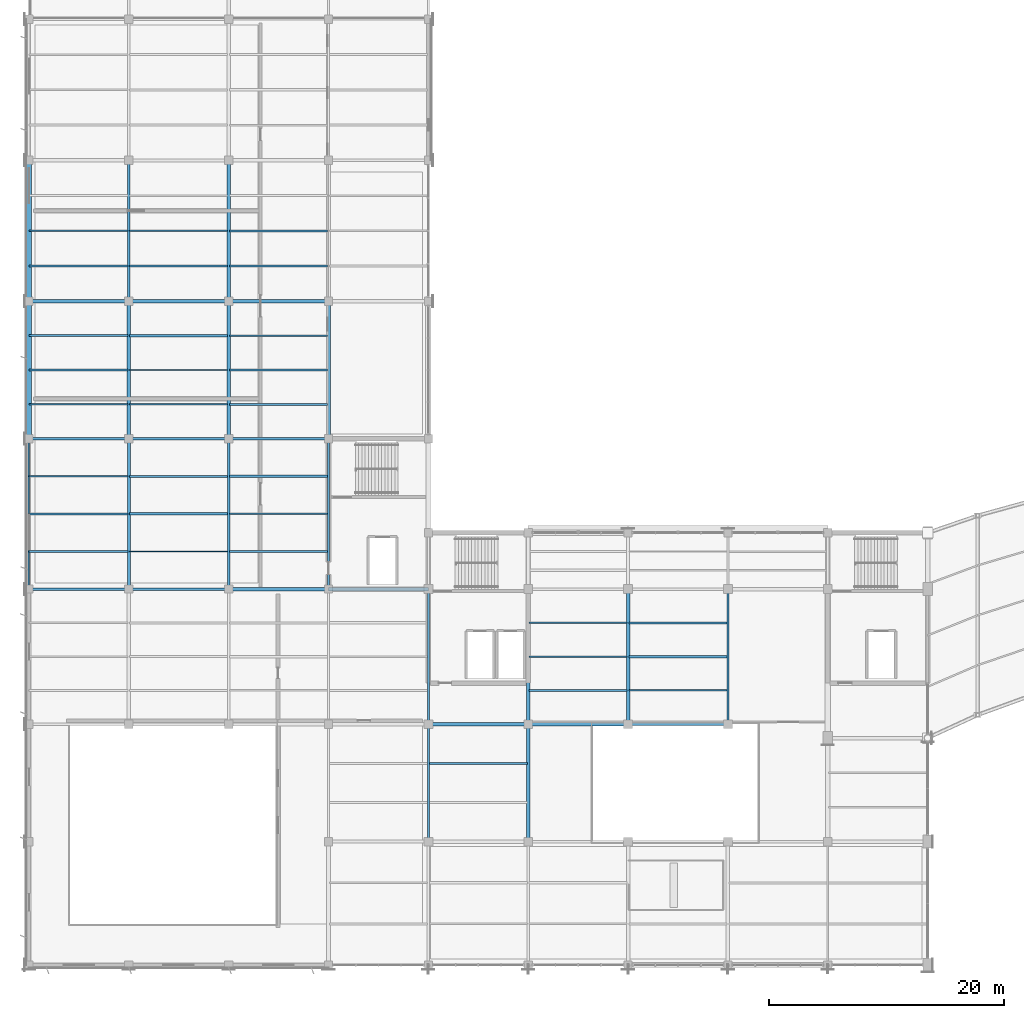
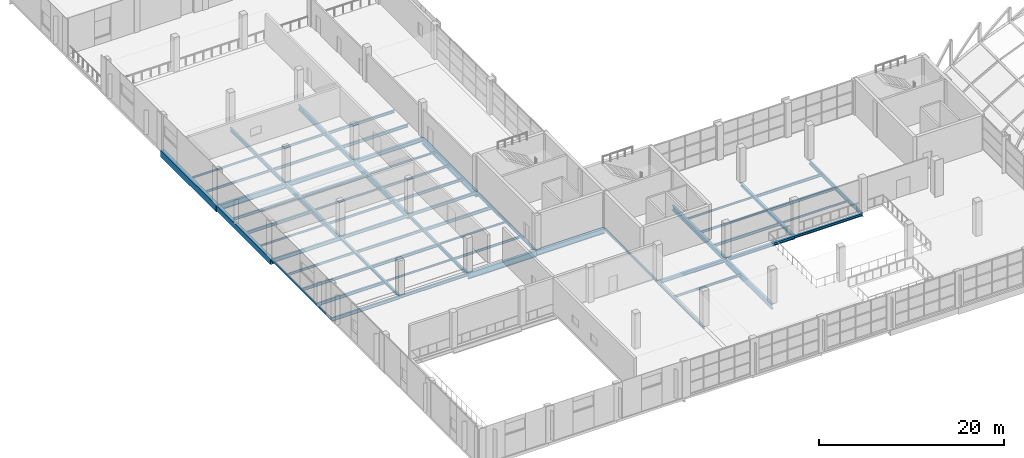
# One storey, part 15 of 101: 61 beams.
"""IFC4 building model written with IfcOpenShell, lengths in metres."""

from ifc_helpers import new_model, si_unit, direction, frame, origin, origin_2d, place, context, subcontext, project, spatial, rectangle, hollow_rectangle, i_section, extrude, material, material_profile, profile_set, type_object, element, save


model = new_model("IFC4")

# Units and contexts
model_context = context("Model", 3, precision=1e-05, world=origin(), true_north=direction((0.0, 1.0)))
body_context = subcontext(model_context, "Body", "Model", "MODEL_VIEW")
ifc_project = project(units=[si_unit("LENGTHUNIT", "METRE"), si_unit("AREAUNIT", "SQUARE_METRE"), si_unit("VOLUMEUNIT", "CUBIC_METRE"), si_unit("PLANEANGLEUNIT", "RADIAN"), si_unit("MASSUNIT", "GRAM", prefix="KILO")], contexts=[model_context])

# Site, building, storey
site_placement = place(None, origin())
site = spatial("IfcSite", under=ifc_project, at=site_placement, CompositionType="ELEMENT")
building_placement = place(site_placement, origin())
building = spatial("IfcBuilding", under=site, at=building_placement, Name="Solvikara Media Centre", CompositionType="ELEMENT")
storey_placement = place(building_placement, frame((0.0, 0.0, 10.199951171875)))
storey = spatial("IfcBuildingStorey", under=building, at=storey_placement, Name="L02", CompositionType="ELEMENT", Elevation=10.199951171875)

# Beams
ifc_material_1 = material(Name="Concrete fc' 35 MPa (C35/45)", Category="concrete")
ifc_material_profile_1 = material_profile(ifc_material_1, rectangle(XDim=0.39990234375, YDim=0.699951171875, at=origin_2d()), Name="RC 400x700")
ifc_profile_set_1 = profile_set([ifc_material_profile_1], Name="Concrete fc' 35 MPa (C35/45)")
beam_type_1 = type_object("IfcBeamType", Name="BM-13", PredefinedType="SPANDREL", material=ifc_profile_set_1)
beam_1_placement = place(storey_placement, frame((0.0, 44.800048828125, -0.60986328125), z_axis=(0.0, 1.0, 0.0), x_axis=(-1.0, 0.0, 0.0)))
element("IfcBeam", 1, at=beam_1_placement, inside=storey, type_object=beam_type_1, Name="B-L02-Y0913", PredefinedType="SPANDREL", context=body_context, shape_type="SweptSolid", body=[
    extrude(rectangle(XDim=0.39990234375, YDim=0.699951171875, at=origin_2d()), origin(), (0.0, 0.0, 1.0), 11.699951171875),
])
ifc_material_profile_2 = material_profile(ifc_material_1, rectangle(XDim=0.449951171875, YDim=0.85009765625, at=origin_2d()), Name="RC 450x850")
ifc_profile_set_2 = profile_set([ifc_material_profile_2], Name="Concrete fc' 35 MPa (C35/45)")
beam_type_2 = type_object("IfcBeamType", Name="BM-14", PredefinedType="SPANDREL", material=ifc_profile_set_2)
beam_2_placement = place(storey_placement, frame((0.0, 56.5, -0.68505859375), z_axis=(0.0, 1.0, 0.0), x_axis=(-1.0, 0.0, 0.0)))
element("IfcBeam", 2, at=beam_2_placement, inside=storey, type_object=beam_type_2, Name="B-L02-Y0914", PredefinedType="SPANDREL", context=body_context, shape_type="SweptSolid", body=[
    extrude(rectangle(XDim=0.449951171875, YDim=0.85009765625, at=origin_2d()), origin(), (0.0, 0.0, 1.0), 12.0),
])
ifc_material_2 = material(Name="Steel S355JR", Category="steel")
ifc_material_profile_3 = material_profile(ifc_material_2, i_section(OverallWidth=0.300048828125, OverallDepth=0.800048828125, WebThickness=0.013916015625, FlangeThickness=0.02587890625, at=origin_2d()), Name="WF 800x300x14x26")
ifc_profile_set_3 = profile_set([ifc_material_profile_3], Name="Steel S355JR")
beam_type_3 = type_object("IfcBeamType", Name="BM-16", PredefinedType="BEAM", material=ifc_profile_set_3)
beam_3_placement = place(storey_placement, frame((17.0, 32.0, -0.661865234375), z_axis=(1.0, 0.0, 0.0), x_axis=(0.0, 1.0, 0.0)))
element("IfcBeam", 3, at=beam_3_placement, inside=storey, type_object=beam_type_3, Name="B-L02-X0855", PredefinedType="BEAM", context=body_context, shape_type="SweptSolid", body=[
    extrude(i_section(OverallWidth=0.300048828125, OverallDepth=0.800048828125, WebThickness=0.013916015625, FlangeThickness=0.02587890625, at=origin_2d()), origin(), (0.0, 0.0, 1.0), 8.5),
])
beam_4_placement = place(storey_placement, frame((25.5, 44.800048828125, -0.661865234375), z_axis=(0.0, 1.0, 0.0), x_axis=(-1.0, 0.0, 0.0)))
element("IfcBeam", 4, at=beam_4_placement, inside=storey, type_object=beam_type_3, Name="B-L02-Y0939", PredefinedType="BEAM", context=body_context, shape_type="SweptSolid", body=[
    extrude(i_section(OverallWidth=0.300048828125, OverallDepth=0.800048828125, WebThickness=0.013916015625, FlangeThickness=0.02587890625, at=origin_2d()), origin(), (0.0, 0.0, 1.0), 11.699951171875),
])
ifc_material_profile_4 = material_profile(ifc_material_2, i_section(OverallWidth=0.300048828125, OverallDepth=0.699951171875, WebThickness=0.012939453125, FlangeThickness=0.02392578125, at=origin_2d()), Name="WF 700x300x13x24")
ifc_profile_set_4 = profile_set([ifc_material_profile_4], Name="Steel S355JR")
beam_type_4 = type_object("IfcBeamType", Name="BM-17", PredefinedType="BEAM", material=ifc_profile_set_4)
beam_5_placement = place(storey_placement, frame((25.5, 32.0, -0.612060546875), z_axis=(1.0, 0.0, 0.0), x_axis=(0.0, 1.0, 0.0)))
element("IfcBeam", 5, at=beam_5_placement, inside=storey, type_object=beam_type_4, Name="B-L02-X0856", PredefinedType="BEAM", context=body_context, shape_type="SweptSolid", body=[
    extrude(i_section(OverallWidth=0.300048828125, OverallDepth=0.699951171875, WebThickness=0.012939453125, FlangeThickness=0.02392578125, at=origin_2d()), origin(), (0.0, 0.0, 1.0), 8.5),
])
ifc_material_profile_5 = material_profile(ifc_material_2, i_section(OverallWidth=0.199951171875, OverallDepth=0.449951171875, WebThickness=0.009033203125, FlangeThickness=0.013916015625, at=origin_2d()), Name="WF 450x200x9x14")
ifc_profile_set_5 = profile_set([ifc_material_profile_5], Name="Steel S355JR")
beam_type_5 = type_object("IfcBeamType", Name="BM-20", PredefinedType="BEAM", material=ifc_profile_set_5)
beam_6_placement = place(storey_placement, frame((17.0, 32.0, -0.487060546875), z_axis=(0.0, 1.0, 0.0), x_axis=(-1.0, 0.0, 0.0)))
element("IfcBeam", 6, at=beam_6_placement, inside=storey, type_object=beam_type_5, Name="B-L02-Y0928", PredefinedType="BEAM", context=body_context, shape_type="SweptSolid", body=[
    extrude(i_section(OverallWidth=0.199951171875, OverallDepth=0.449951171875, WebThickness=0.009033203125, FlangeThickness=0.013916015625, at=origin_2d()), origin(), (0.0, 0.0, 1.0), 12.800048828125),
])
ifc_material_profile_6 = material_profile(ifc_material_2, i_section(OverallWidth=0.199951171875, OverallDepth=0.39990234375, WebThickness=0.008056640625, FlangeThickness=0.012939453125, at=origin_2d()), Name="WF 400x200x8x13")
ifc_profile_set_6 = profile_set([ifc_material_profile_6], Name="Steel S355JR")
beam_type_6 = type_object("IfcBeamType", Name="BM-21", PredefinedType="JOIST", material=ifc_profile_set_6)
beam_7_placement = place(storey_placement, frame((0.0, 35.199951171875, -0.4619140625), z_axis=(1.0, 0.0, 0.0), x_axis=(0.0, 1.0, 0.0)))
element("IfcBeam", 7, at=beam_7_placement, inside=storey, type_object=beam_type_6, Name="J-L02-1009", PredefinedType="JOIST", context=body_context, shape_type="SweptSolid", body=[
    extrude(i_section(OverallWidth=0.199951171875, OverallDepth=0.39990234375, WebThickness=0.008056640625, FlangeThickness=0.012939453125, at=origin_2d()), origin(), (0.0, 0.0, 1.0), 8.422119140625),
])
for number, where, z_axis, x_axis, name in (
    (8, (8.577880859375, 38.39990234375, -0.4619140625), (1.0, 0.0, 0.0), (0.0, 1.0, 0.0), "J-L02-1033"),
    (9, (17.077880859375, 41.60009765625, -0.4619140625), (1.0, 0.0, 0.0), (0.0, 1.0, 0.0), "J-L02-1057"),
):
    element("IfcBeam", number, at=place(storey_placement, frame(where, z_axis=z_axis, x_axis=x_axis)), inside=storey, type_object=beam_type_6, Name=name, PredefinedType="JOIST", context=body_context, shape_type="SweptSolid", body=[
        extrude(i_section(OverallWidth=0.199951171875, OverallDepth=0.39990234375, WebThickness=0.008056640625, FlangeThickness=0.012939453125, at=origin_2d()), origin(), (0.0, 0.0, 1.0), 8.34423828125),
    ])
ifc_material_profile_7 = material_profile(ifc_material_2, i_section(OverallWidth=0.175048828125, OverallDepth=0.35009765625, WebThickness=0.007080078125, FlangeThickness=0.010986328125, at=origin_2d()), Name="WF 350x175x7x11")
ifc_profile_set_7 = profile_set([ifc_material_profile_7], Name="Steel S355JR")
beam_type_7 = type_object("IfcBeamType", Name="BM-22", PredefinedType="JOIST", material=ifc_profile_set_7)
beam_8_placement = place(storey_placement, frame((0.0, 38.39990234375, -0.43701171875), z_axis=(1.0, 0.0, 0.0), x_axis=(0.0, 1.0, 0.0)))
element("IfcBeam", 10, at=beam_8_placement, inside=storey, type_object=beam_type_7, Name="J-L02-1010", PredefinedType="JOIST", context=body_context, shape_type="SweptSolid", body=[
    extrude(i_section(OverallWidth=0.175048828125, OverallDepth=0.35009765625, WebThickness=0.007080078125, FlangeThickness=0.010986328125, at=origin_2d()), origin(), (0.0, 0.0, 1.0), 8.422119140625),
])
for number, where, z_axis, x_axis, name in (
    (11, (8.577880859375, 41.60009765625, -0.43701171875), (1.0, 0.0, 0.0), (0.0, 1.0, 0.0), "J-L02-1034"),
    (12, (17.077880859375, 47.72509765625, -0.43701171875), (1.0, 0.0, 0.0), (0.0, 1.0, 0.0), "J-L02-1058"),
):
    element("IfcBeam", number, at=place(storey_placement, frame(where, z_axis=z_axis, x_axis=x_axis)), inside=storey, type_object=beam_type_7, Name=name, PredefinedType="JOIST", context=body_context, shape_type="SweptSolid", body=[
        extrude(i_section(OverallWidth=0.175048828125, OverallDepth=0.35009765625, WebThickness=0.007080078125, FlangeThickness=0.010986328125, at=origin_2d()), origin(), (0.0, 0.0, 1.0), 8.34423828125),
    ])
ifc_material_profile_8 = material_profile(ifc_material_2, i_section(OverallWidth=0.14990234375, OverallDepth=0.300048828125, WebThickness=0.006591796875, FlangeThickness=0.009033203125, at=origin_2d()), Name="WF 300x150x6.5x9")
ifc_profile_set_8 = profile_set([ifc_material_profile_8], Name="Steel S355JR")
beam_type_8 = type_object("IfcBeamType", Name="BM-23", PredefinedType="JOIST", material=ifc_profile_set_8)
beam_9_placement = place(storey_placement, frame((0.0, 41.60009765625, -0.411865234375), z_axis=(1.0, 0.0, 0.0), x_axis=(0.0, 1.0, 0.0)))
element("IfcBeam", 13, at=beam_9_placement, inside=storey, type_object=beam_type_8, Name="J-L02-1011", PredefinedType="JOIST", context=body_context, shape_type="SweptSolid", body=[
    extrude(i_section(OverallWidth=0.14990234375, OverallDepth=0.300048828125, WebThickness=0.006591796875, FlangeThickness=0.009033203125, at=origin_2d()), origin(), (0.0, 0.0, 1.0), 8.422119140625),
])
for number, where, z_axis, x_axis, name in (
    (14, (8.577880859375, 47.72509765625, -0.411865234375), (1.0, 0.0, 0.0), (0.0, 1.0, 0.0), "J-L02-1035"),
    (15, (17.077880859375, 50.64990234375, -0.411865234375), (1.0, 0.0, 0.0), (0.0, 1.0, 0.0), "J-L02-1059"),
    (16, (34.077880859375, 17.1669921875, -0.431884765625), (1.0, 0.0, 0.0), (0.0, 1.0, 0.0), "J-L02-1099"),
):
    element("IfcBeam", number, at=place(storey_placement, frame(where, z_axis=z_axis, x_axis=x_axis)), inside=storey, type_object=beam_type_8, Name=name, PredefinedType="JOIST", context=body_context, shape_type="SweptSolid", body=[
        extrude(i_section(OverallWidth=0.14990234375, OverallDepth=0.300048828125, WebThickness=0.006591796875, FlangeThickness=0.009033203125, at=origin_2d()), origin(), (0.0, 0.0, 1.0), 8.34423828125),
    ])
ifc_material_profile_9 = material_profile(ifc_material_2, i_section(OverallWidth=0.125, OverallDepth=0.25, WebThickness=0.006103515625, FlangeThickness=0.009033203125, at=origin_2d()), Name="WF 250x125x6x9")
ifc_profile_set_9 = profile_set([ifc_material_profile_9], Name="Steel S355JR")
beam_type_9 = type_object("IfcBeamType", Name="BM-24", PredefinedType="JOIST", material=ifc_profile_set_9)
beam_10_placement = place(storey_placement, frame((0.0, 47.72509765625, -0.386962890625), z_axis=(1.0, 0.0, 0.0), x_axis=(0.0, 1.0, 0.0)))
element("IfcBeam", 17, at=beam_10_placement, inside=storey, type_object=beam_type_9, Name="J-L02-1012", PredefinedType="JOIST", context=body_context, shape_type="SweptSolid", body=[
    extrude(i_section(OverallWidth=0.125, OverallDepth=0.25, WebThickness=0.006103515625, FlangeThickness=0.009033203125, at=origin_2d()), origin(), (0.0, 0.0, 1.0), 8.422119140625),
])
for number, where, z_axis, x_axis, name in (
    (18, (8.577880859375, 50.64990234375, -0.386962890625), (1.0, 0.0, 0.0), (0.0, 1.0, 0.0), "J-L02-1036"),
    (19, (17.077880859375, 53.574951171875, -0.386962890625), (1.0, 0.0, 0.0), (0.0, 1.0, 0.0), "J-L02-1060"),
    (20, (51.077880859375, 23.375, -0.406982421875), (1.0, 0.0, 0.0), (0.0, 1.0, 0.0), "J-L02-1108"),
):
    element("IfcBeam", number, at=place(storey_placement, frame(where, z_axis=z_axis, x_axis=x_axis)), inside=storey, type_object=beam_type_9, Name=name, PredefinedType="JOIST", context=body_context, shape_type="SweptSolid", body=[
        extrude(i_section(OverallWidth=0.125, OverallDepth=0.25, WebThickness=0.006103515625, FlangeThickness=0.009033203125, at=origin_2d()), origin(), (0.0, 0.0, 1.0), 8.34423828125),
    ])
ifc_material_profile_10 = material_profile(ifc_material_2, i_section(OverallWidth=0.300048828125, OverallDepth=0.69189453125, WebThickness=0.012939453125, FlangeThickness=0.02001953125, at=origin_2d()), Name="H 692x300x13x20")
ifc_profile_set_10 = profile_set([ifc_material_profile_10], Name="Steel S355JR")
beam_type_10 = type_object("IfcBeamType", Name="BM-25", PredefinedType="BEAM", material=ifc_profile_set_10)
beam_11_placement = place(storey_placement, frame((0.0, 56.5, -0.60791015625), z_axis=(1.0, 0.0, 0.0), x_axis=(0.0, 1.0, 0.0)))
element("IfcBeam", 21, at=beam_11_placement, inside=storey, type_object=beam_type_10, Name="B-L02-X0873", PredefinedType="BEAM", context=body_context, shape_type="SweptSolid", body=[
    extrude(i_section(OverallWidth=0.300048828125, OverallDepth=0.69189453125, WebThickness=0.012939453125, FlangeThickness=0.02001953125, at=origin_2d()), origin(), (0.0, 0.0, 1.0), 8.5),
])
beam_12_placement = place(storey_placement, frame((17.0, 44.800048828125, -0.60791015625), z_axis=(0.0, 1.0, 0.0), x_axis=(-1.0, 0.0, 0.0)))
element("IfcBeam", 22, at=beam_12_placement, inside=storey, type_object=beam_type_10, Name="B-L02-Y0929", PredefinedType="BEAM", context=body_context, shape_type="SweptSolid", body=[
    extrude(i_section(OverallWidth=0.300048828125, OverallDepth=0.69189453125, WebThickness=0.012939453125, FlangeThickness=0.02001953125, at=origin_2d()), origin(), (0.0, 0.0, 1.0), 11.699951171875),
])
beam_13_placement = place(storey_placement, frame((42.5, 10.5, -0.6279296875), z_axis=(0.0, 1.0, 0.0), x_axis=(-1.0, 0.0, 0.0)))
element("IfcBeam", 23, at=beam_13_placement, inside=storey, type_object=beam_type_10, Name="B-L02-Y0957", PredefinedType="BEAM", context=body_context, shape_type="SweptSolid", body=[
    extrude(i_section(OverallWidth=0.300048828125, OverallDepth=0.69189453125, WebThickness=0.012939453125, FlangeThickness=0.02001953125, at=origin_2d()), origin(), (0.0, 0.0, 1.0), 10.0),
])
ifc_material_profile_11 = material_profile(ifc_material_2, i_section(OverallWidth=0.300048828125, OverallDepth=0.587890625, WebThickness=0.011962890625, FlangeThickness=0.02001953125, at=origin_2d()), Name="H 588x300x12x20")
ifc_profile_set_11 = profile_set([ifc_material_profile_11], Name="Steel S355JR")
beam_type_11 = type_object("IfcBeamType", Name="BM-26", PredefinedType="BEAM", material=ifc_profile_set_11)
beam_14_placement = place(storey_placement, frame((8.5, 56.5, -0.555908203125), z_axis=(1.0, 0.0, 0.0), x_axis=(0.0, 1.0, 0.0)))
element("IfcBeam", 24, at=beam_14_placement, inside=storey, type_object=beam_type_11, Name="B-L02-X0874", PredefinedType="BEAM", context=body_context, shape_type="SweptSolid", body=[
    extrude(i_section(OverallWidth=0.300048828125, OverallDepth=0.587890625, WebThickness=0.011962890625, FlangeThickness=0.02001953125, at=origin_2d()), origin(), (0.0, 0.0, 1.0), 8.5),
])
beam_15_placement = place(storey_placement, frame((17.0, 56.5, -0.555908203125), z_axis=(0.0, 1.0, 0.0), x_axis=(-1.0, 0.0, 0.0)))
element("IfcBeam", 25, at=beam_15_placement, inside=storey, type_object=beam_type_11, Name="B-L02-Y0930", PredefinedType="BEAM", context=body_context, shape_type="SweptSolid", body=[
    extrude(i_section(OverallWidth=0.300048828125, OverallDepth=0.587890625, WebThickness=0.011962890625, FlangeThickness=0.02001953125, at=origin_2d()), origin(), (0.0, 0.0, 1.0), 12.0),
])
beam_16_placement = place(storey_placement, frame((42.5, 20.5, -0.575927734375), z_axis=(0.0, 1.0, 0.0), x_axis=(-1.0, 0.0, 0.0)))
element("IfcBeam", 26, at=beam_16_placement, inside=storey, type_object=beam_type_11, Name="B-L02-Y0958", PredefinedType="BEAM", context=body_context, shape_type="SweptSolid", body=[
    extrude(i_section(OverallWidth=0.300048828125, OverallDepth=0.587890625, WebThickness=0.011962890625, FlangeThickness=0.02001953125, at=origin_2d()), origin(), (0.0, 0.0, 1.0), 11.5),
])
ifc_material_profile_12 = material_profile(ifc_material_2, i_section(OverallWidth=0.300048828125, OverallDepth=0.488037109375, WebThickness=0.010986328125, FlangeThickness=0.01806640625, at=origin_2d()), Name="H 488x300x11x18")
ifc_profile_set_12 = profile_set([ifc_material_profile_12], Name="Steel S355JR")
beam_type_12 = type_object("IfcBeamType", Name="BM-27", PredefinedType="BEAM", material=ifc_profile_set_12)
beam_17_placement = place(storey_placement, frame((17.0, 56.5, -0.505859375), z_axis=(1.0, 0.0, 0.0), x_axis=(0.0, 1.0, 0.0)))
element("IfcBeam", 27, at=beam_17_placement, inside=storey, type_object=beam_type_12, Name="B-L02-X0875", PredefinedType="BEAM", context=body_context, shape_type="SweptSolid", body=[
    extrude(i_section(OverallWidth=0.300048828125, OverallDepth=0.488037109375, WebThickness=0.010986328125, FlangeThickness=0.01806640625, at=origin_2d()), origin(), (0.0, 0.0, 1.0), 8.5),
])
ifc_material_profile_13 = material_profile(ifc_material_2, i_section(OverallWidth=0.300048828125, OverallDepth=0.43994140625, WebThickness=0.010986328125, FlangeThickness=0.01806640625, at=origin_2d()), Name="H 440x300x11x18")
ifc_profile_set_13 = profile_set([ifc_material_profile_13], Name="Steel S355JR")
beam_type_13 = type_object("IfcBeamType", Name="BM-28", PredefinedType="BEAM", material=ifc_profile_set_13)
beam_18_placement = place(storey_placement, frame((34.0, 20.5, -0.501953125), z_axis=(1.0, 0.0, 0.0), x_axis=(0.0, 1.0, 0.0)))
element("IfcBeam", 28, at=beam_18_placement, inside=storey, type_object=beam_type_13, Name="B-L02-X0848", PredefinedType="BEAM", context=body_context, shape_type="SweptSolid", body=[
    extrude(i_section(OverallWidth=0.300048828125, OverallDepth=0.43994140625, WebThickness=0.010986328125, FlangeThickness=0.01806640625, at=origin_2d()), origin(), (0.0, 0.0, 1.0), 8.5),
])
ifc_material_profile_14 = material_profile(ifc_material_2, i_section(OverallWidth=0.300048828125, OverallDepth=0.389892578125, WebThickness=0.010009765625, FlangeThickness=0.01611328125, at=origin_2d()), Name="H 390x300x10x16")
ifc_profile_set_14 = profile_set([ifc_material_profile_14], Name="Steel S355JR")
beam_type_14 = type_object("IfcBeamType", Name="BM-29", PredefinedType="BEAM", material=ifc_profile_set_14)
beam_19_placement = place(storey_placement, frame((42.5, 20.5, -0.47705078125), z_axis=(1.0, 0.0, 0.0), x_axis=(0.0, 1.0, 0.0)))
element("IfcBeam", 29, at=beam_19_placement, inside=storey, type_object=beam_type_14, Name="B-L02-X0849", PredefinedType="BEAM", context=body_context, shape_type="SweptSolid", body=[
    extrude(i_section(OverallWidth=0.300048828125, OverallDepth=0.389892578125, WebThickness=0.010009765625, FlangeThickness=0.01611328125, at=origin_2d()), origin(), (0.0, 0.0, 1.0), 8.5),
])
beam_20_placement = place(storey_placement, frame((51.0, 20.5, -0.47705078125), z_axis=(0.0, 1.0, 0.0), x_axis=(-1.0, 0.0, 0.0)))
element("IfcBeam", 30, at=beam_20_placement, inside=storey, type_object=beam_type_14, Name="B-L02-Y0961", PredefinedType="BEAM", context=body_context, shape_type="SweptSolid", body=[
    extrude(i_section(OverallWidth=0.300048828125, OverallDepth=0.389892578125, WebThickness=0.010009765625, FlangeThickness=0.01611328125, at=origin_2d()), origin(), (0.0, 0.0, 1.0), 11.5),
])
ifc_material_profile_15 = material_profile(ifc_material_2, i_section(OverallWidth=0.25, OverallDepth=0.340087890625, WebThickness=0.009033203125, FlangeThickness=0.013916015625, at=origin_2d()), Name="H 340x250x9x14")
ifc_profile_set_15 = profile_set([ifc_material_profile_15], Name="Steel S355JR")
beam_type_15 = type_object("IfcBeamType", Name="BM-30", PredefinedType="BEAM", material=ifc_profile_set_15)
beam_21_placement = place(storey_placement, frame((51.0, 20.5, -0.451904296875), z_axis=(1.0, 0.0, 0.0), x_axis=(0.0, 1.0, 0.0)))
element("IfcBeam", 31, at=beam_21_placement, inside=storey, type_object=beam_type_15, Name="B-L02-X0850", PredefinedType="BEAM", context=body_context, shape_type="SweptSolid", body=[
    extrude(i_section(OverallWidth=0.25, OverallDepth=0.340087890625, WebThickness=0.009033203125, FlangeThickness=0.013916015625, at=origin_2d()), origin(), (0.0, 0.0, 1.0), 8.5),
])
beam_22_placement = place(storey_placement, frame((8.5, 32.0, -0.431884765625), z_axis=(0.0, 1.0, 0.0), x_axis=(-1.0, 0.0, 0.0)))
element("IfcBeam", 32, at=beam_22_placement, inside=storey, type_object=beam_type_15, Name="B-L02-Y0920", PredefinedType="BEAM", context=body_context, shape_type="SweptSolid", body=[
    extrude(i_section(OverallWidth=0.25, OverallDepth=0.340087890625, WebThickness=0.009033203125, FlangeThickness=0.013916015625, at=origin_2d()), origin(), (0.0, 0.0, 1.0), 12.800048828125),
])
ifc_material_profile_16 = material_profile(ifc_material_2, hollow_rectangle(XDim=0.175048828125, YDim=0.35009765625, WallThickness=0.010009765625, at=origin_2d()), Name="RHS 350x175x10")
ifc_profile_set_16 = profile_set([ifc_material_profile_16], Name="Steel S355JR")
beam_type_16 = type_object("IfcBeamType", Name="BM-34", PredefinedType="SPANDREL", material=ifc_profile_set_16)
beam_23_placement = place(storey_placement, frame((34.0, 10.5, -0.45703125), z_axis=(0.0, 1.0, 0.0), x_axis=(-1.0, 0.0, 0.0)))
element("IfcBeam", 33, at=beam_23_placement, inside=storey, type_object=beam_type_16, Name="B-L02-Y0946", PredefinedType="SPANDREL", context=body_context, shape_type="SweptSolid", body=[
    extrude(hollow_rectangle(XDim=0.175048828125, YDim=0.35009765625, WallThickness=0.010009765625, at=origin_2d()), origin(), (0.0, 0.0, 1.0), 10.0),
])
ifc_material_profile_17 = material_profile(ifc_material_2, hollow_rectangle(XDim=0.14990234375, YDim=0.300048828125, WallThickness=0.010009765625, at=origin_2d()), Name="RHS 300x150x10")
ifc_profile_set_17 = profile_set([ifc_material_profile_17], Name="Steel S355JR")
beam_type_17 = type_object("IfcBeamType", Name="BM-35", PredefinedType="BEAM", material=ifc_profile_set_17)
beam_24_placement = place(storey_placement, frame((34.0, 20.5, -0.431884765625), z_axis=(0.0, 1.0, 0.0), x_axis=(-1.0, 0.0, 0.0)))
element("IfcBeam", 34, at=beam_24_placement, inside=storey, type_object=beam_type_17, Name="B-L02-Y0947", PredefinedType="BEAM", context=body_context, shape_type="SweptSolid", body=[
    extrude(hollow_rectangle(XDim=0.14990234375, YDim=0.300048828125, WallThickness=0.010009765625, at=origin_2d()), origin(), (0.0, 0.0, 1.0), 11.5),
])
ifc_material_profile_18 = material_profile(ifc_material_2, i_section(OverallWidth=0.198974609375, OverallDepth=0.39599609375, WebThickness=0.007080078125, FlangeThickness=0.010986328125, at=origin_2d()), Name="WF 396x199x7x11")
ifc_profile_set_18 = profile_set([ifc_material_profile_18], Name="Steel S355JR")
beam_type_18 = type_object("IfcBeamType", Name="BM-37", PredefinedType="JOIST", material=ifc_profile_set_18)
beam_25_placement = place(storey_placement, frame((0.0, 50.64990234375, -0.4599609375), z_axis=(1.0, 0.0, 0.0), x_axis=(0.0, 1.0, 0.0)))
element("IfcBeam", 35, at=beam_25_placement, inside=storey, type_object=beam_type_18, Name="J-L02-1013", PredefinedType="JOIST", context=body_context, shape_type="SweptSolid", body=[
    extrude(i_section(OverallWidth=0.198974609375, OverallDepth=0.39599609375, WebThickness=0.007080078125, FlangeThickness=0.010986328125, at=origin_2d()), origin(), (0.0, 0.0, 1.0), 8.422119140625),
])
for number, where, z_axis, x_axis, name in (
    (36, (8.577880859375, 53.574951171875, -0.4599609375), (1.0, 0.0, 0.0), (0.0, 1.0, 0.0), "J-L02-1037"),
    (37, (17.077880859375, 59.5, -0.4599609375), (1.0, 0.0, 0.0), (0.0, 1.0, 0.0), "J-L02-1061"),
    (38, (51.077880859375, 26.25, -0.47998046875), (1.0, 0.0, 0.0), (0.0, 1.0, 0.0), "J-L02-1109"),
):
    element("IfcBeam", number, at=place(storey_placement, frame(where, z_axis=z_axis, x_axis=x_axis)), inside=storey, type_object=beam_type_18, Name=name, PredefinedType="JOIST", context=body_context, shape_type="SweptSolid", body=[
        extrude(i_section(OverallWidth=0.198974609375, OverallDepth=0.39599609375, WebThickness=0.007080078125, FlangeThickness=0.010986328125, at=origin_2d()), origin(), (0.0, 0.0, 1.0), 8.34423828125),
    ])
ifc_material_profile_19 = material_profile(ifc_material_2, i_section(OverallWidth=0.174072265625, OverallDepth=0.345947265625, WebThickness=0.006103515625, FlangeThickness=0.009033203125, at=origin_2d()), Name="WF 346x174x6x9")
ifc_profile_set_19 = profile_set([ifc_material_profile_19], Name="Steel S355JR")
beam_type_19 = type_object("IfcBeamType", Name="BM-38", PredefinedType="JOIST", material=ifc_profile_set_19)
beam_26_placement = place(storey_placement, frame((0.0, 53.574951171875, -0.43505859375), z_axis=(1.0, 0.0, 0.0), x_axis=(0.0, 1.0, 0.0)))
element("IfcBeam", 39, at=beam_26_placement, inside=storey, type_object=beam_type_19, Name="J-L02-1014", PredefinedType="JOIST", context=body_context, shape_type="SweptSolid", body=[
    extrude(i_section(OverallWidth=0.174072265625, OverallDepth=0.345947265625, WebThickness=0.006103515625, FlangeThickness=0.009033203125, at=origin_2d()), origin(), (0.0, 0.0, 1.0), 8.422119140625),
])
for number, where, z_axis, x_axis, name in (
    (40, (8.577880859375, 59.5, -0.43505859375), (1.0, 0.0, 0.0), (0.0, 1.0, 0.0), "J-L02-1038"),
    (41, (17.077880859375, 62.5, -0.43505859375), (1.0, 0.0, 0.0), (0.0, 1.0, 0.0), "J-L02-1062"),
    (42, (42.577880859375, 23.375, -0.454833984375), (1.0, 0.0, 0.0), (0.0, 1.0, 0.0), "J-L02-1102"),
    (43, (51.077880859375, 29.125, -0.454833984375), (1.0, 0.0, 0.0), (0.0, 1.0, 0.0), "J-L02-1110"),
):
    element("IfcBeam", number, at=place(storey_placement, frame(where, z_axis=z_axis, x_axis=x_axis)), inside=storey, type_object=beam_type_19, Name=name, PredefinedType="JOIST", context=body_context, shape_type="SweptSolid", body=[
        extrude(i_section(OverallWidth=0.174072265625, OverallDepth=0.345947265625, WebThickness=0.006103515625, FlangeThickness=0.009033203125, at=origin_2d()), origin(), (0.0, 0.0, 1.0), 8.34423828125),
    ])
ifc_material_profile_20 = material_profile(ifc_material_2, i_section(OverallWidth=0.14892578125, OverallDepth=0.298095703125, WebThickness=0.005615234375, FlangeThickness=0.008056640625, at=origin_2d()), Name="WF 298x149x5.5x8")
ifc_profile_set_20 = profile_set([ifc_material_profile_20], Name="Steel S355JR")
beam_type_20 = type_object("IfcBeamType", Name="BM-39", PredefinedType="JOIST", material=ifc_profile_set_20)
beam_27_placement = place(storey_placement, frame((0.0, 59.5, -0.410888671875), z_axis=(1.0, 0.0, 0.0), x_axis=(0.0, 1.0, 0.0)))
element("IfcBeam", 44, at=beam_27_placement, inside=storey, type_object=beam_type_20, Name="J-L02-1015", PredefinedType="JOIST", context=body_context, shape_type="SweptSolid", body=[
    extrude(i_section(OverallWidth=0.14892578125, OverallDepth=0.298095703125, WebThickness=0.005615234375, FlangeThickness=0.008056640625, at=origin_2d()), origin(), (0.0, 0.0, 1.0), 8.422119140625),
])
for number, where, z_axis, x_axis, name in (
    (45, (8.577880859375, 62.5, -0.410888671875), (1.0, 0.0, 0.0), (0.0, 1.0, 0.0), "J-L02-1039"),
    (46, (17.077880859375, 35.199951171875, -0.410888671875), (1.0, 0.0, 0.0), (0.0, 1.0, 0.0), "J-L02-1055"),
    (47, (42.577880859375, 26.25, -0.430908203125), (1.0, 0.0, 0.0), (0.0, 1.0, 0.0), "J-L02-1103"),
):
    element("IfcBeam", number, at=place(storey_placement, frame(where, z_axis=z_axis, x_axis=x_axis)), inside=storey, type_object=beam_type_20, Name=name, PredefinedType="JOIST", context=body_context, shape_type="SweptSolid", body=[
        extrude(i_section(OverallWidth=0.14892578125, OverallDepth=0.298095703125, WebThickness=0.005615234375, FlangeThickness=0.008056640625, at=origin_2d()), origin(), (0.0, 0.0, 1.0), 8.34423828125),
    ])
ifc_material_profile_21 = material_profile(ifc_material_2, i_section(OverallWidth=0.1240234375, OverallDepth=0.248046875, WebThickness=0.0048828125, FlangeThickness=0.008056640625, at=origin_2d()), Name="WF 248x124x5x8")
ifc_profile_set_21 = profile_set([ifc_material_profile_21], Name="Steel S355JR")
beam_type_21 = type_object("IfcBeamType", Name="BM-40", PredefinedType="JOIST", material=ifc_profile_set_21)
beam_28_placement = place(storey_placement, frame((0.0, 62.5, -0.385986328125), z_axis=(1.0, 0.0, 0.0), x_axis=(0.0, 1.0, 0.0)))
element("IfcBeam", 48, at=beam_28_placement, inside=storey, type_object=beam_type_21, Name="J-L02-1016", PredefinedType="JOIST", context=body_context, shape_type="SweptSolid", body=[
    extrude(i_section(OverallWidth=0.1240234375, OverallDepth=0.248046875, WebThickness=0.0048828125, FlangeThickness=0.008056640625, at=origin_2d()), origin(), (0.0, 0.0, 1.0), 8.422119140625),
])
for number, where, z_axis, x_axis, name in (
    (49, (8.577880859375, 35.199951171875, -0.385986328125), (1.0, 0.0, 0.0), (0.0, 1.0, 0.0), "J-L02-1032"),
    (50, (17.077880859375, 38.39990234375, -0.385986328125), (1.0, 0.0, 0.0), (0.0, 1.0, 0.0), "J-L02-1056"),
    (51, (42.577880859375, 29.125, -0.406005859375), (1.0, 0.0, 0.0), (0.0, 1.0, 0.0), "J-L02-1104"),
):
    element("IfcBeam", number, at=place(storey_placement, frame(where, z_axis=z_axis, x_axis=x_axis)), inside=storey, type_object=beam_type_21, Name=name, PredefinedType="JOIST", context=body_context, shape_type="SweptSolid", body=[
        extrude(i_section(OverallWidth=0.1240234375, OverallDepth=0.248046875, WebThickness=0.0048828125, FlangeThickness=0.008056640625, at=origin_2d()), origin(), (0.0, 0.0, 1.0), 8.34423828125),
    ])
ifc_material_profile_22 = material_profile(ifc_material_2, i_section(OverallWidth=0.302001953125, OverallDepth=0.593994140625, WebThickness=0.013916015625, FlangeThickness=0.02294921875, at=origin_2d()), Name="H 594x302x14x23")
ifc_profile_set_22 = profile_set([ifc_material_profile_22], Name="Steel S355JR")
beam_type_22 = type_object("IfcBeamType", Name="BM-41", PredefinedType="BEAM", material=ifc_profile_set_22)
beam_29_placement = place(storey_placement, frame((8.5, 44.800048828125, -0.558837890625), z_axis=(0.0, 1.0, 0.0), x_axis=(-1.0, 0.0, 0.0)))
element("IfcBeam", 52, at=beam_29_placement, inside=storey, type_object=beam_type_22, Name="B-L02-Y0921", PredefinedType="BEAM", context=body_context, shape_type="SweptSolid", body=[
    extrude(i_section(OverallWidth=0.302001953125, OverallDepth=0.593994140625, WebThickness=0.013916015625, FlangeThickness=0.02294921875, at=origin_2d()), origin(), (0.0, 0.0, 1.0), 11.699951171875),
])
ifc_material_profile_23 = material_profile(ifc_material_2, i_section(OverallWidth=0.198974609375, OverallDepth=0.49609375, WebThickness=0.009033203125, FlangeThickness=0.013916015625, at=origin_2d()), Name="H 496x199x9x14")
ifc_profile_set_23 = profile_set([ifc_material_profile_23], Name="Steel S355JR")
beam_type_23 = type_object("IfcBeamType", Name="BM-42", PredefinedType="BEAM", material=ifc_profile_set_23)
beam_30_placement = place(storey_placement, frame((0.0, 44.800048828125, -0.510009765625), z_axis=(1.0, 0.0, 0.0), x_axis=(0.0, 1.0, 0.0)))
element("IfcBeam", 53, at=beam_30_placement, inside=storey, type_object=beam_type_23, Name="B-L02-X0866", PredefinedType="BEAM", context=body_context, shape_type="SweptSolid", body=[
    extrude(i_section(OverallWidth=0.198974609375, OverallDepth=0.49609375, WebThickness=0.009033203125, FlangeThickness=0.013916015625, at=origin_2d()), origin(), (0.0, 0.0, 1.0), 8.5),
])
beam_31_placement = place(storey_placement, frame((8.5, 56.5, -0.510009765625), z_axis=(0.0, 1.0, 0.0), x_axis=(-1.0, 0.0, 0.0)))
element("IfcBeam", 54, at=beam_31_placement, inside=storey, type_object=beam_type_23, Name="B-L02-Y0922", PredefinedType="BEAM", context=body_context, shape_type="SweptSolid", body=[
    extrude(i_section(OverallWidth=0.198974609375, OverallDepth=0.49609375, WebThickness=0.009033203125, FlangeThickness=0.013916015625, at=origin_2d()), origin(), (0.0, 0.0, 1.0), 12.0),
])
beam_32_placement = place(storey_placement, frame((59.5, 20.5, -0.530029296875), z_axis=(0.0, 1.0, 0.0), x_axis=(-1.0, 0.0, 0.0)))
element("IfcBeam", 55, at=beam_32_placement, inside=storey, type_object=beam_type_23, Name="B-L02-Y0964", PredefinedType="BEAM", context=body_context, shape_type="SweptSolid", body=[
    extrude(i_section(OverallWidth=0.198974609375, OverallDepth=0.49609375, WebThickness=0.009033203125, FlangeThickness=0.013916015625, at=origin_2d()), origin(), (0.0, 0.0, 1.0), 11.5),
])
ifc_material_profile_24 = material_profile(ifc_material_2, i_section(OverallWidth=0.198974609375, OverallDepth=0.446044921875, WebThickness=0.008056640625, FlangeThickness=0.011962890625, at=origin_2d()), Name="H 446x199x8x12")
ifc_profile_set_24 = profile_set([ifc_material_profile_24], Name="Steel S355JR")
beam_type_24 = type_object("IfcBeamType", Name="BM-43", PredefinedType="BEAM", material=ifc_profile_set_24)
for number, where, z_axis, x_axis, name in (
    (56, (0.0, 32.0, -0.48486328125), (1.0, 0.0, 0.0), (0.0, 1.0, 0.0), "B-L02-X0853"),
    (57, (8.5, 44.800048828125, -0.48486328125), (1.0, 0.0, 0.0), (0.0, 1.0, 0.0), "B-L02-X0867"),
):
    element("IfcBeam", number, at=place(storey_placement, frame(where, z_axis=z_axis, x_axis=x_axis)), inside=storey, type_object=beam_type_24, Name=name, PredefinedType="BEAM", context=body_context, shape_type="SweptSolid", body=[
        extrude(i_section(OverallWidth=0.198974609375, OverallDepth=0.446044921875, WebThickness=0.008056640625, FlangeThickness=0.011962890625, at=origin_2d()), origin(), (0.0, 0.0, 1.0), 8.5),
    ])
ifc_material_profile_25 = material_profile(ifc_material_2, i_section(OverallWidth=0.198974609375, OverallDepth=0.39599609375, WebThickness=0.007080078125, FlangeThickness=0.010986328125, at=origin_2d()), Name="H 396x199x7x11")
ifc_profile_set_25 = profile_set([ifc_material_profile_25], Name="Steel S355JR")
beam_type_25 = type_object("IfcBeamType", Name="BM-44", PredefinedType="BEAM", material=ifc_profile_set_25)
for number, where, z_axis, x_axis, name in (
    (58, (8.5, 32.0, -0.4599609375), (1.0, 0.0, 0.0), (0.0, 1.0, 0.0), "B-L02-X0854"),
    (59, (17.0, 44.800048828125, -0.4599609375), (1.0, 0.0, 0.0), (0.0, 1.0, 0.0), "B-L02-X0868"),
):
    element("IfcBeam", number, at=place(storey_placement, frame(where, z_axis=z_axis, x_axis=x_axis)), inside=storey, type_object=beam_type_25, Name=name, PredefinedType="BEAM", context=body_context, shape_type="SweptSolid", body=[
        extrude(i_section(OverallWidth=0.198974609375, OverallDepth=0.39599609375, WebThickness=0.007080078125, FlangeThickness=0.010986328125, at=origin_2d()), origin(), (0.0, 0.0, 1.0), 8.5),
    ])
beam_33_placement = place(storey_placement, frame((25.5, 32.0, -0.4599609375), z_axis=(0.0, 1.0, 0.0), x_axis=(-1.0, 0.0, 0.0)))
element("IfcBeam", 60, at=beam_33_placement, inside=storey, type_object=beam_type_25, Name="B-L02-Y0938", PredefinedType="BEAM", context=body_context, shape_type="SweptSolid", body=[
    extrude(i_section(OverallWidth=0.198974609375, OverallDepth=0.39599609375, WebThickness=0.007080078125, FlangeThickness=0.010986328125, at=origin_2d()), origin(), (0.0, 0.0, 1.0), 12.800048828125),
])
ifc_material_profile_26 = material_profile(ifc_material_2, hollow_rectangle(XDim=0.139892578125, YDim=0.280029296875, WallThickness=0.008056640625, at=origin_2d()), Name="RHS 280x140x8")
ifc_profile_set_26 = profile_set([ifc_material_profile_26], Name="Steel S355JR")
beam_type_26 = type_object("IfcBeamType", Name="BM-46", PredefinedType="SPANDREL", material=ifc_profile_set_26)
beam_34_placement = place(storey_placement, frame((0.0, 32.0, -0.40185546875), z_axis=(0.0, 1.0, 0.0), x_axis=(-1.0, 0.0, 0.0)))
element("IfcBeam", 61, at=beam_34_placement, inside=storey, type_object=beam_type_26, Name="B-L02-Y0912", PredefinedType="SPANDREL", context=body_context, shape_type="SweptSolid", body=[
    extrude(hollow_rectangle(XDim=0.139892578125, YDim=0.280029296875, WallThickness=0.008056640625, at=origin_2d()), origin(), (0.0, 0.0, 1.0), 12.800048828125),
])

save(model, "model.ifc")
